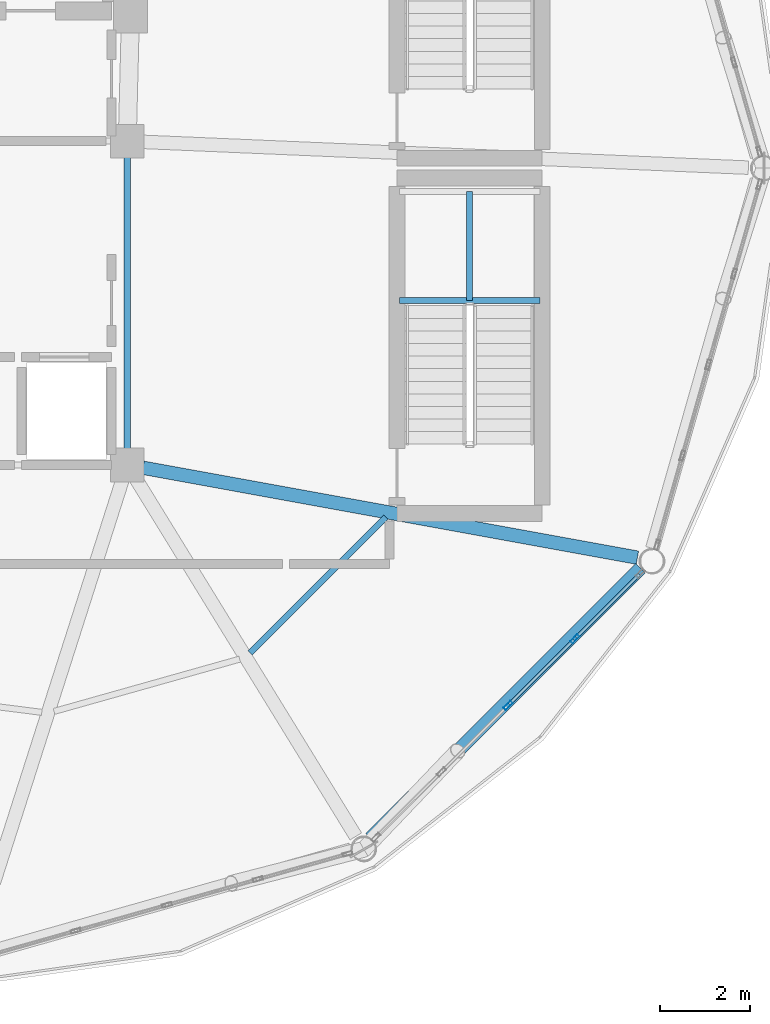
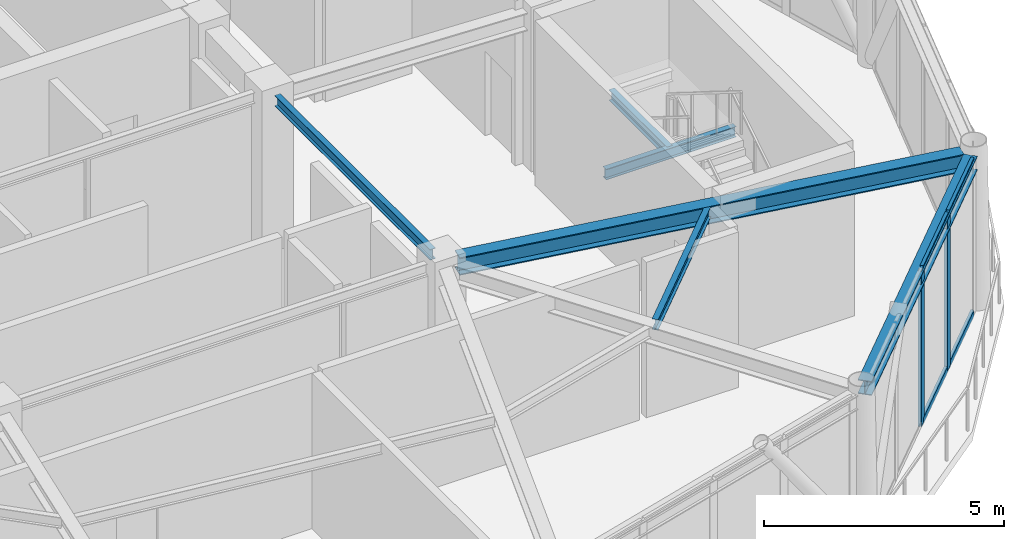
# One storey, part 7 of 21: 6 beams, 6 members, 1 element without a shape of its own.
"""IFC4 building model written with IfcOpenShell, lengths in metres."""

from ifc_helpers import new_model, si_unit, direction, frame, origin, origin_2d, place, context, subcontext, project, spatial, hollow_rectangle, i_section, extrude, material, layer, layer_set, material_profile, profile_set, type_object, element, aggregate, save


model = new_model("IFC4")

# Units and contexts
model_context = context("Model", 3, precision=1e-05, world=origin(), true_north=direction((0.0, 1.0)))
body_context = subcontext(model_context, "Body", "Model", "MODEL_VIEW")
ifc_project = project(units=[si_unit("LENGTHUNIT", "METRE"), si_unit("AREAUNIT", "SQUARE_METRE"), si_unit("VOLUMEUNIT", "CUBIC_METRE"), si_unit("PLANEANGLEUNIT", "RADIAN"), si_unit("MASSUNIT", "GRAM", prefix="KILO")], contexts=[model_context])

# Site, building, storey
site_placement = place(None, origin())
site = spatial("IfcSite", under=ifc_project, at=site_placement, CompositionType="ELEMENT")
building_placement = place(site_placement, origin())
building = spatial("IfcBuilding", under=site, at=building_placement, Name="Varnakorn Sky Granary", CompositionType="ELEMENT")
storey_placement = place(building_placement, frame((0.0, 0.0, 294.0)))
storey = spatial("IfcBuildingStorey", under=building, at=storey_placement, Name="L75", CompositionType="ELEMENT", Elevation=294.0)

# Beams
ifc_material_1 = material(Name="Steel S355JR", Category="steel")
ifc_material_profile_1 = material_profile(ifc_material_1, i_section(OverallWidth=0.135009765625, OverallDepth=0.27001953125, WebThickness=0.006591796875, FlangeThickness=0.01025390625, at=origin_2d()), Name="IPE 270")
ifc_profile_set_1 = profile_set([ifc_material_profile_1], Name="Steel S355JR")
beam_type_1 = type_object("IfcBeamType", Name="BM-LND-270", PredefinedType="BEAM", material=ifc_profile_set_1)
beam_1_placement = place(storey_placement, frame((14.39990234375, -2.93994140625, 1.764892578125), z_axis=(1.0, 0.0, 0.0), x_axis=(0.0, 1.0, 0.0)))
element("IfcBeam", 1, at=beam_1_placement, inside=storey, type_object=beam_type_1, Name="Stair ST-C2 Landing Trimmer Beam A L75-1", PredefinedType="BEAM", context=body_context, shape_type="SweptSolid", body=[
    extrude(i_section(OverallWidth=0.135009765625, OverallDepth=0.27001953125, WebThickness=0.006591796875, FlangeThickness=0.01025390625, at=origin_2d()), origin(), (0.0, 0.0, 1.0), 3.130126953125),
])
beam_2_placement = place(storey_placement, frame((15.965087890625, -2.93994140625, 1.764892578125), z_axis=(0.0, 1.0, 0.0), x_axis=(-1.0, 0.0, 0.0)))
element("IfcBeam", 2, at=beam_2_placement, inside=storey, type_object=beam_type_1, Name="Stair ST-C2 Landing Cross Beam C L75-1", PredefinedType="BEAM", context=body_context, shape_type="SweptSolid", body=[
    extrude(i_section(OverallWidth=0.135009765625, OverallDepth=0.27001953125, WebThickness=0.006591796875, FlangeThickness=0.01025390625, at=origin_2d()), origin(), (0.0, 0.0, 1.0), 2.419921875),
])
ifc_material_profile_2 = material_profile(ifc_material_1, i_section(OverallWidth=0.300048828125, OverallDepth=0.449951171875, WebThickness=0.013916015625, FlangeThickness=0.02587890625, at=origin_2d()), Name="HE 450 B")
ifc_profile_set_2 = profile_set([ifc_material_profile_2], Name="Steel S355JR")
beam_type_2 = type_object("IfcBeamType", Name="BM-RAD-Z5", PredefinedType="BEAM", material=ifc_profile_set_2)
beam_3_placement = place(storey_placement, frame((8.69921875, -6.66357421875, 3.735107421875), z_axis=(0.983859075056, -0.178945020689, 0.0), x_axis=(0.178945020689, 0.983859075056, 0.0)))
element("IfcBeam", 3, at=beam_3_placement, inside=storey, type_object=beam_type_2, Name="Radial Floor Girder RG12 L75", PredefinedType="BEAM", context=body_context, shape_type="SweptSolid", body=[
    extrude(i_section(OverallWidth=0.300048828125, OverallDepth=0.449951171875, WebThickness=0.013916015625, FlangeThickness=0.02587890625, at=origin_2d()), origin(), (0.0, 0.0, 1.0), 11.177978515625),
])
ifc_material_profile_3 = material_profile(ifc_material_1, i_section(OverallWidth=0.135009765625, OverallDepth=0.27001953125, WebThickness=0.006591796875, FlangeThickness=0.01025390625, at=origin_2d()), Name="IPE 270")
ifc_profile_set_3 = profile_set([ifc_material_profile_3], Name="Steel S355JR")
beam_type_3 = type_object("IfcBeamType", Name="BM-SEC-Z5", PredefinedType="BEAM", material=ifc_profile_set_3)
beam_4_placement = place(storey_placement, frame((11.08349609375, -10.783447265625, 3.824951171875), z_axis=(0.706505950323, 0.707707101955, 0.0), x_axis=(-0.707707101955, 0.706505950323, 0.0)))
element("IfcBeam", 4, at=beam_4_placement, inside=storey, type_object=beam_type_3, Name="Secondary Floor Chord Beam MSB11 L75", PredefinedType="BEAM", context=body_context, shape_type="SweptSolid", body=[
    extrude(i_section(OverallWidth=0.135009765625, OverallDepth=0.27001953125, WebThickness=0.006591796875, FlangeThickness=0.01025390625, at=origin_2d()), origin(), (0.0, 0.0, 1.0), 4.268310546875),
])
beam_5_placement = place(storey_placement, frame((8.35009765625, 0.2451171875, 3.824951171875), z_axis=(0.0, -1.0, 0.0), x_axis=(1.0, 0.0, 0.0)))
element("IfcBeam", 5, at=beam_5_placement, inside=storey, type_object=beam_type_3, Name="Core Spine Framing Beam 4 L75", PredefinedType="BEAM", context=body_context, shape_type="SweptSolid", body=[
    extrude(i_section(OverallWidth=0.135009765625, OverallDepth=0.27001953125, WebThickness=0.006591796875, FlangeThickness=0.01025390625, at=origin_2d()), origin(), (0.0, 0.0, 1.0), 6.490234375),
])
ifc_material_profile_4 = material_profile(ifc_material_1, i_section(OverallWidth=0.300048828125, OverallDepth=0.360107421875, WebThickness=0.012451171875, FlangeThickness=0.0224609375, at=origin_2d()), Name="HE 360 B")
ifc_profile_set_4 = profile_set([ifc_material_profile_4], Name="Steel S355JR")
beam_type_4 = type_object("IfcBeamType", Name="BM-SPD-Z5", PredefinedType="SPANDREL", material=ifc_profile_set_4)
beam_6_placement = place(storey_placement, frame((13.759033203125, -14.90087890625, 3.780029296875), z_axis=(0.707566463655, 0.706646799689, 0.0), x_axis=(-0.706646799689, 0.707566463655, 0.0)))
element("IfcBeam", 6, at=beam_6_placement, inside=storey, type_object=beam_type_4, Name="Perimeter Spandrel Ring Beam RB11 L75", PredefinedType="SPANDREL", context=body_context, shape_type="SweptSolid", body=[
    extrude(i_section(OverallWidth=0.300048828125, OverallDepth=0.360107421875, WebThickness=0.012451171875, FlangeThickness=0.0224609375, at=origin_2d()), origin(), (0.0, 0.0, 1.0), 8.494873046875),
])

# Curtain wall, members
ifc_material_2 = material(Name="Anodised Bronze Aluminium Alloy 6063-T6", Category="aluminium")
ifc_layer = layer(ifc_material_2, 0.22998046875, Name="Anodised Bronze Aluminium Alloy 6063-T6")
ifc_layer_set = layer_set([ifc_layer], Name="Anodised Bronze Aluminium Alloy 6063-T6")
curtain_wall_type = type_object("IfcCurtainWallType", Name="CW-LNT-1", PredefinedType="USERDEFINED", material=ifc_layer_set)
curtain_wall_placement = place(storey_placement, origin())
curtain_wall = element("IfcCurtainWall", 7, at=curtain_wall_placement, inside=storey, type_object=curtain_wall_type, Name="Unitised Curtain Wall CW7 CW-L75-B11", ObjectType="CURTAIN WALL", PredefinedType="USERDEFINED")
ifc_material_profile_5 = material_profile(ifc_material_2, hollow_rectangle(XDim=0.074951171875, YDim=0.219970703125, WallThickness=0.00390625, at=origin_2d()), Name="ALU MULL 75x220")
ifc_profile_set_5 = profile_set([ifc_material_profile_5], Name="Anodised Bronze Aluminium Alloy 6063-T6")
member_type_1 = type_object("IfcMemberType", Name="CW-LNT-1-MULL", PredefinedType="MULLION", material=ifc_profile_set_5)
member_1_placement = place(storey_placement, frame((18.306396484375, -10.4677734375, 0.0), z_axis=(0.0, 0.0, 1.0), x_axis=(0.706396880071, -0.70781597031, 0.0)))
member_1 = element("IfcMember", 8, at=member_1_placement, type_object=member_type_1, Name="CW7 mullion 2", PredefinedType="MULLION", context=body_context, shape_type="SweptSolid", body=[
    extrude(hollow_rectangle(XDim=0.074951171875, YDim=0.219970703125, WallThickness=0.00390625, at=origin_2d()), origin(), (0.0, 0.0, 1.0), 3.9599609375),
])
member_2_placement = place(storey_placement, frame((16.822509765625, -11.948486328125, 0.0), z_axis=(0.0, 0.0, 1.0), x_axis=(0.706396880071, -0.70781597031, 0.0)))
member_2 = element("IfcMember", 9, at=member_2_placement, type_object=member_type_1, Name="CW7 mullion 3", PredefinedType="MULLION", context=body_context, shape_type="SweptSolid", body=[
    extrude(hollow_rectangle(XDim=0.074951171875, YDim=0.219970703125, WallThickness=0.00390625, at=origin_2d()), origin(), (0.0, 0.0, 1.0), 3.9599609375),
])
ifc_material_profile_6 = material_profile(ifc_material_2, hollow_rectangle(XDim=0.074951171875, YDim=0.159912109375, WallThickness=0.00390625, at=origin_2d()), Name="ALU TRAN 75x160")
ifc_profile_set_6 = profile_set([ifc_material_profile_6], Name="Anodised Bronze Aluminium Alloy 6063-T6")
member_type_2 = type_object("IfcMemberType", Name="CW-LNT-1-TRAN", PredefinedType="USERDEFINED", material=ifc_profile_set_6)
member_3_placement = place(storey_placement, frame((19.7373046875, -9.039794921875, 0.03759765625), z_axis=(-0.707844759482, -0.706368031889, 0.0), x_axis=(0.706368031889, -0.707844759482, 0.0)))
member_3 = element("IfcMember", 10, at=member_3_placement, type_object=member_type_2, Name="CW7 transom 1.1", ObjectType="TRANSOM", PredefinedType="USERDEFINED", context=body_context, shape_type="SweptSolid", body=[
    extrude(hollow_rectangle(XDim=0.074951171875, YDim=0.159912109375, WallThickness=0.00390625, at=origin_2d()), origin(), (0.0, 0.0, 1.0), 1.98388671875),
])
member_4_placement = place(storey_placement, frame((19.7373046875, -9.039794921875, 3.922607421875), z_axis=(-0.707844759482, -0.706368031889, 0.0), x_axis=(0.706368031889, -0.707844759482, 0.0)))
member_4 = element("IfcMember", 11, at=member_4_placement, type_object=member_type_2, Name="CW7 transom 1.2", ObjectType="TRANSOM", PredefinedType="USERDEFINED", context=body_context, shape_type="SweptSolid", body=[
    extrude(hollow_rectangle(XDim=0.074951171875, YDim=0.159912109375, WallThickness=0.00390625, at=origin_2d()), origin(), (0.0, 0.0, 1.0), 1.98388671875),
])
member_5_placement = place(storey_placement, frame((18.27978515625, -10.494140625, 0.03759765625), z_axis=(-0.707770759115, -0.706442179192, 0.0), x_axis=(0.706442179192, -0.707770759115, 0.0)))
member_5 = element("IfcMember", 12, at=member_5_placement, type_object=member_type_2, Name="CW7 transom 2.1", ObjectType="TRANSOM", PredefinedType="USERDEFINED", context=body_context, shape_type="SweptSolid", body=[
    extrude(hollow_rectangle(XDim=0.074951171875, YDim=0.159912109375, WallThickness=0.00390625, at=origin_2d()), origin(), (0.0, 0.0, 1.0), 2.021484375),
])
member_6_placement = place(storey_placement, frame((18.27978515625, -10.494140625, 3.922607421875), z_axis=(-0.707770759115, -0.706442179192, 0.0), x_axis=(0.706442179192, -0.707770759115, 0.0)))
member_6 = element("IfcMember", 13, at=member_6_placement, type_object=member_type_2, Name="CW7 transom 2.2", ObjectType="TRANSOM", PredefinedType="USERDEFINED", context=body_context, shape_type="SweptSolid", body=[
    extrude(hollow_rectangle(XDim=0.074951171875, YDim=0.159912109375, WallThickness=0.00390625, at=origin_2d()), origin(), (0.0, 0.0, 1.0), 2.021484375),
])
aggregate(curtain_wall, [member_1, member_2, member_3, member_4, member_5, member_6])

save(model, "model.ifc")
